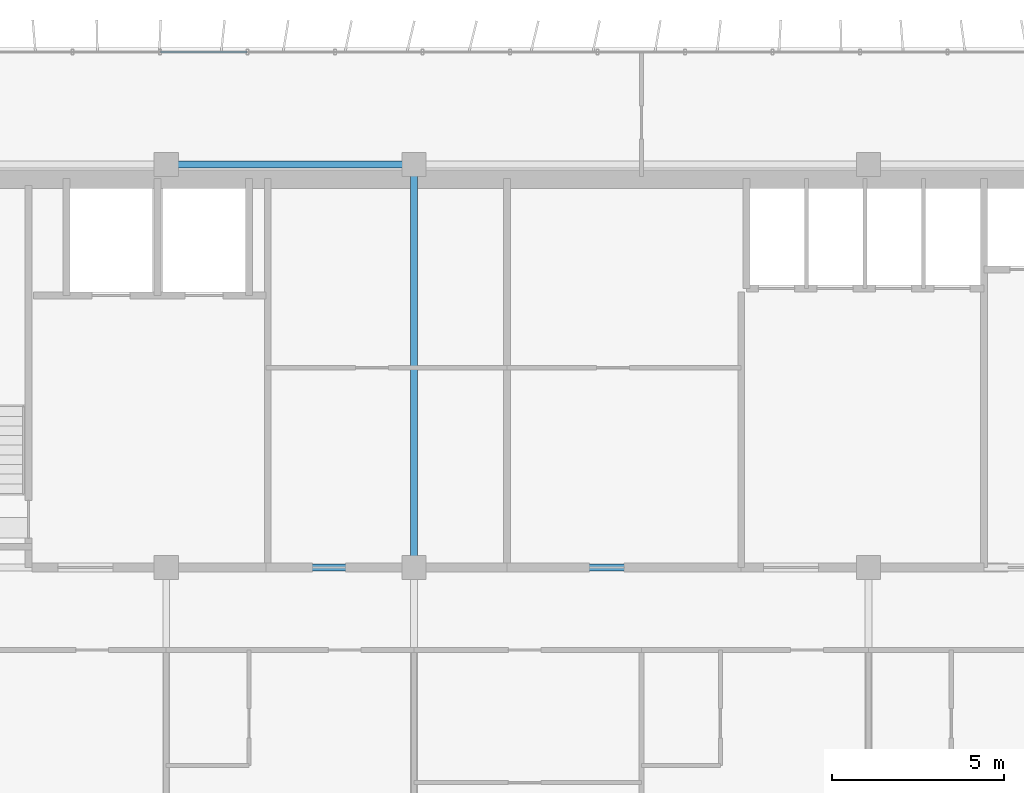
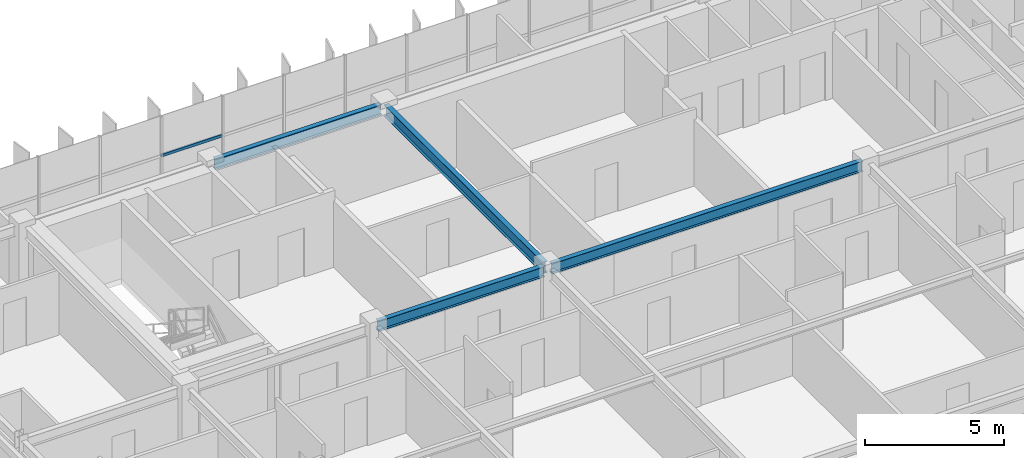
# One storey, part 7 of 23: 4 beams, 1 member, 1 element without a shape of its own.
"""IFC4 building model written with IfcOpenShell, lengths in metres."""

from ifc_helpers import new_model, si_unit, direction, frame, origin, origin_2d, place, context, subcontext, project, spatial, hollow_rectangle, i_section, extrude, source, transform, mapped, material, material_profile, profile_set, type_object, element, aggregate, save


model = new_model("IFC4")

# Units and contexts
model_context = context("Model", 3, precision=1e-05, world=origin(), true_north=direction((0.0, 1.0)))
body_context = subcontext(model_context, "Body", "Model", "MODEL_VIEW")
ifc_project = project(units=[si_unit("LENGTHUNIT", "METRE"), si_unit("AREAUNIT", "SQUARE_METRE"), si_unit("VOLUMEUNIT", "CUBIC_METRE"), si_unit("PLANEANGLEUNIT", "RADIAN"), si_unit("MASSUNIT", "GRAM", prefix="KILO")], contexts=[model_context])

# Site, building, storey
site_placement = place(None, origin())
site = spatial("IfcSite", under=ifc_project, at=site_placement, CompositionType="ELEMENT")
building_placement = place(site_placement, origin())
building = spatial("IfcBuilding", under=site, at=building_placement, Name="Trelvane Seafront Commons", CompositionType="ELEMENT")
storey_placement = place(building_placement, frame((0.0, 0.0, 222.89990234375)))
storey = spatial("IfcBuildingStorey", under=building, at=storey_placement, Name="L58", CompositionType="ELEMENT", Elevation=222.89990234375)

# Beams
ifc_material_1 = material(Name="Steel SM355 (S355)", Category="steel")
ifc_material_profile_1 = material_profile(ifc_material_1, i_section(OverallWidth=0.199951171875, OverallDepth=0.5, WebThickness=0.010009765625, FlangeThickness=0.01611328125, at=origin_2d()), Name="H-500x200x10x16")
ifc_profile_set_1 = profile_set([ifc_material_profile_1], Name="Steel SM355 (S355)")
beam_type_1 = type_object("IfcBeamType", Name="STR-BM-H500", PredefinedType="BEAM", material=ifc_profile_set_1)
shared_shape_1 = source(origin(), body_context, "Body", "SweptSolid", [
    extrude(i_section(OverallWidth=0.199951171875, OverallDepth=0.5, WebThickness=0.010009765625, FlangeThickness=0.01611328125, at=origin_2d()), origin(), (0.0, 0.0, 1.0), 11.39990234375),
])
beam_1_placement = place(storey_placement, frame((30.60009765625, 33.550048828125, 3.110107421875), z_axis=(0.0, 1.0, 0.0), x_axis=(-1.0, 0.0, 0.0)))
element("IfcBeam", 1, at=beam_1_placement, inside=storey, type_object=beam_type_1, Name="L58 Primary Girder G-40", PredefinedType="BEAM", context=body_context, shape_type="MappedRepresentation", body=[
    mapped(shared_shape_1, transform((0.0, 0.0, 0.0), x_axis=(1.0, 0.0, 0.0), y_axis=(0.0, 1.0, 0.0), z_axis=(0.0, 0.0, 1.0), scale=1.0)),
])
ifc_material_profile_2 = material_profile(ifc_material_1, i_section(OverallWidth=0.199951171875, OverallDepth=0.449951171875, WebThickness=0.009033203125, FlangeThickness=0.013916015625, at=origin_2d()), Name="H-450x200x9x14")
ifc_profile_set_2 = profile_set([ifc_material_profile_2], Name="Steel SM355 (S355)")
beam_type_2 = type_object("IfcBeamType", Name="STR-SPD-H450", PredefinedType="SPANDREL", material=ifc_profile_set_2)
shared_shape_2 = source(origin(), body_context, "Body", "SweptSolid", [
    extrude(i_section(OverallWidth=0.199951171875, OverallDepth=0.449951171875, WebThickness=0.009033203125, FlangeThickness=0.013916015625, at=origin_2d()), origin(), (0.0, 0.0, 1.0), 6.89990234375),
])
for number, where, z_axis, x_axis, name in (
    (2, (23.550048828125, 33.39990234375, 3.135009765625), (1.0, 0.0, 0.0), (0.0, 1.0, 0.0), "L58 Primary Girder G-17"),
    (3, (23.550048828125, 45.10009765625, 3.135009765625), (1.0, 0.0, 0.0), (0.0, 1.0, 0.0), "L58 Primary Girder G-24"),
):
    element("IfcBeam", number, at=place(storey_placement, frame(where, z_axis=z_axis, x_axis=x_axis)), inside=storey, type_object=beam_type_2, Name=name, PredefinedType="SPANDREL", context=body_context, shape_type="MappedRepresentation", body=[
        mapped(shared_shape_2, transform((0.0, 0.0, 0.0), x_axis=(1.0, 0.0, 0.0), y_axis=(0.0, 1.0, 0.0), z_axis=(0.0, 0.0, 1.0), scale=1.0)),
    ])
shared_shape_3 = source(origin(), body_context, "Body", "SweptSolid", [
    extrude(i_section(OverallWidth=0.199951171875, OverallDepth=0.449951171875, WebThickness=0.009033203125, FlangeThickness=0.013916015625, at=origin_2d()), origin(), (0.0, 0.0, 1.0), 12.89990234375),
])
beam_2_placement = place(storey_placement, frame((30.75, 33.39990234375, 3.135009765625), z_axis=(1.0, 0.0, 0.0), x_axis=(0.0, 1.0, 0.0)))
element("IfcBeam", 4, at=beam_2_placement, inside=storey, type_object=beam_type_2, Name="L58 Primary Girder G-18", PredefinedType="SPANDREL", context=body_context, shape_type="MappedRepresentation", body=[
    mapped(shared_shape_3, transform((0.0, 0.0, 0.0), x_axis=(1.0, 0.0, 0.0), y_axis=(0.0, 1.0, 0.0), z_axis=(0.0, 0.0, 1.0), scale=1.0)),
])

# Curtain wall, member
ifc_material_2 = material(Name="Anodised pale-silver aluminium", Category="aluminium")
curtain_wall_type = type_object("IfcCurtainWallType", Name="ARCH-CW5-UPTOWER", PredefinedType="NOTDEFINED", material=ifc_material_2)
curtain_wall_placement = place(storey_placement, origin())
curtain_wall = element("IfcCurtainWall", 5, at=curtain_wall_placement, inside=storey, type_object=curtain_wall_type, Name="CW-L58-0101", PredefinedType="NOTDEFINED")
ifc_material_profile_3 = material_profile(ifc_material_2, hollow_rectangle(XDim=0.070068359375, YDim=0.1201171875, WallThickness=0.00390625, at=origin_2d()), Name="TRAN-70x120x4")
ifc_profile_set_3 = profile_set([ifc_material_profile_3], Name="Anodised pale-silver aluminium")
member_type = type_object("IfcMemberType", Name="ARCH-CW-TRAN-120", PredefinedType="USERDEFINED", material=ifc_profile_set_3)
shared_shape_4 = source(origin(), body_context, "Body", "SweptSolid", [
    extrude(hollow_rectangle(XDim=0.070068359375, YDim=0.1201171875, WallThickness=0.00390625, at=origin_2d()), origin(), (0.0, 0.0, 1.0), 2.51708984375),
])
member_placement = place(storey_placement, frame((23.235595703125, 48.3701171875, 1.613037109375), z_axis=(1.0, 0.0, 0.0), x_axis=(0.0, 1.0, 0.0)))
member = element("IfcMember", 6, at=member_placement, type_object=member_type, Name="CW-L58-0101-T03", ObjectType="TRANSOM", PredefinedType="USERDEFINED", context=body_context, shape_type="MappedRepresentation", body=[
    mapped(shared_shape_4, transform((0.0, 0.0, 0.0), x_axis=(1.0, 0.0, 0.0), y_axis=(0.0, 1.0, 0.0), z_axis=(0.0, 0.0, 1.0), scale=1.0)),
])
aggregate(curtain_wall, [member])

save(model, "model.ifc")
